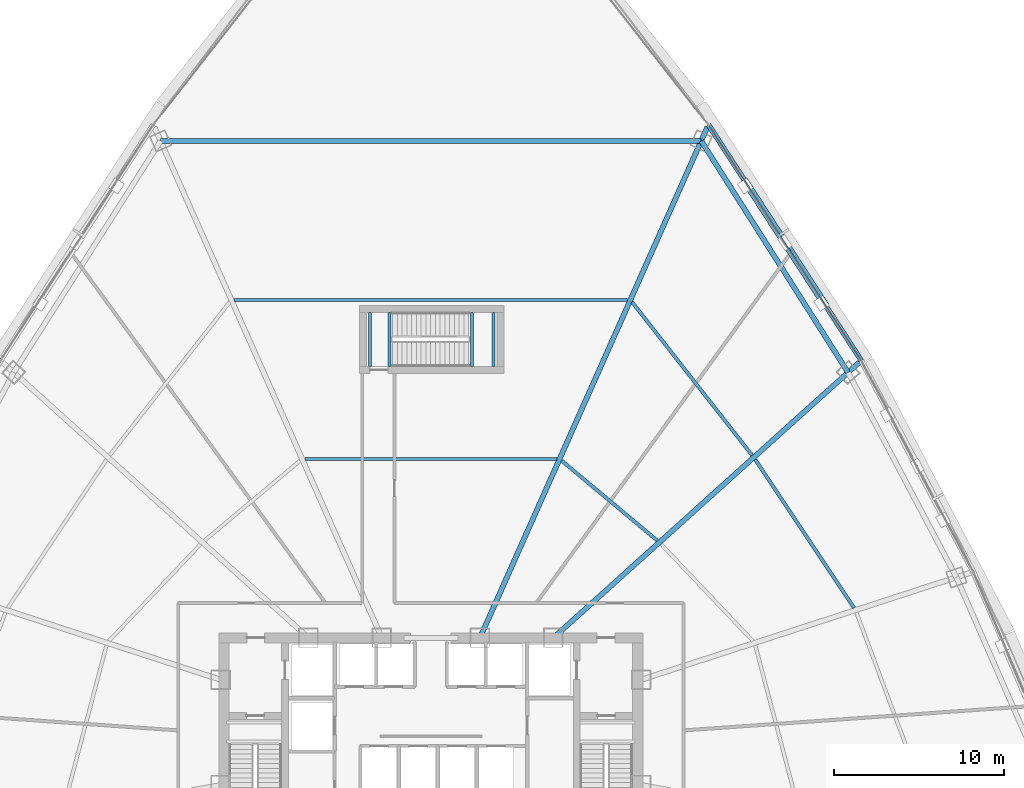
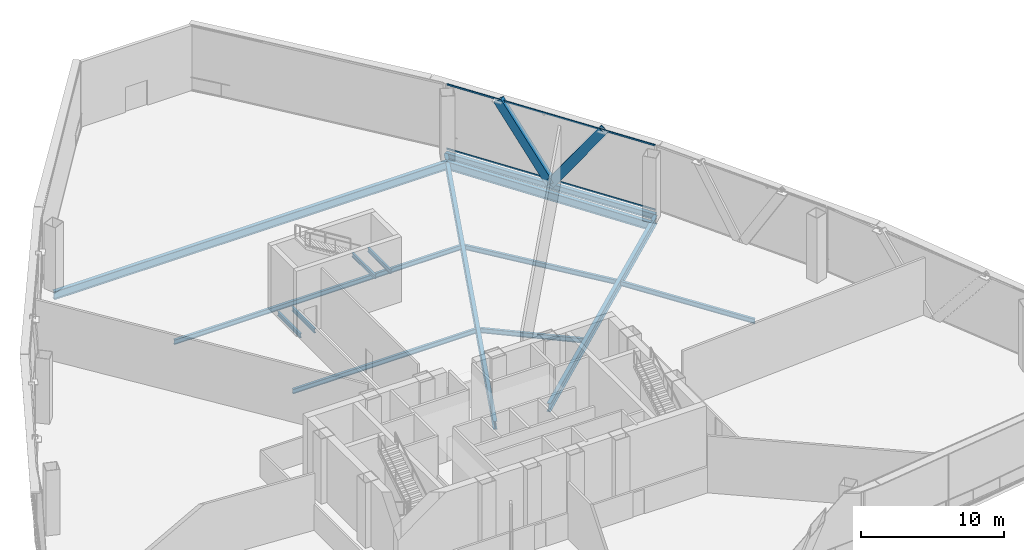
# One storey, part 18 of 36: 14 beams, 4 members, 1 element without a shape of its own.
"""IFC4 building model written with IfcOpenShell, lengths in metres."""

from ifc_helpers import new_model, si_unit, direction, frame, origin, origin_2d, place, context, subcontext, project, spatial, hollow_rectangle, i_section, extrude, source, transform, mapped, material, layer, layer_set, material_profile, profile_set, type_object, element, aggregate, save


model = new_model("IFC4")

# Units and contexts
model_context = context("Model", 3, precision=1e-05, world=origin(), true_north=direction((0.0, 1.0)))
body_context = subcontext(model_context, "Body", "Model", "MODEL_VIEW")
ifc_project = project(units=[si_unit("LENGTHUNIT", "METRE"), si_unit("AREAUNIT", "SQUARE_METRE"), si_unit("VOLUMEUNIT", "CUBIC_METRE"), si_unit("PLANEANGLEUNIT", "RADIAN"), si_unit("MASSUNIT", "GRAM", prefix="KILO"), si_unit("THERMODYNAMICTEMPERATUREUNIT", "KELVIN"), si_unit("POWERUNIT", "WATT")], contexts=[model_context])

# Site, building, storey
site_placement = place(None, origin())
site = spatial("IfcSite", under=ifc_project, at=site_placement, CompositionType="ELEMENT")
building_placement = place(site_placement, origin())
building = spatial("IfcBuilding", under=site, at=building_placement, Name="Yunzhuo Pagoda Commons", CompositionType="ELEMENT")
storey_placement = place(building_placement, frame((0.0, 0.0, 119.179931640625)))
storey = spatial("IfcBuildingStorey", under=building, at=storey_placement, Name="L30", CompositionType="ELEMENT", Elevation=119.179931640625)

# Beams
ifc_material_1 = material(Name="Structural steel Q355B", Category="steel")
ifc_material_profile_1 = material_profile(ifc_material_1, i_section(OverallWidth=0.175048828125, OverallDepth=0.35009765625, WebThickness=0.007080078125, FlangeThickness=0.010986328125, at=origin_2d()), Name="Structural steel Q355B")
ifc_profile_set_1 = profile_set([ifc_material_profile_1], Name="Structural steel Q355B")
beam_type_1 = type_object("IfcBeamType", Name="B-JS2 Joist HN 350x175x7x11", PredefinedType="JOIST", material=ifc_profile_set_1)
shared_shape_1 = source(origin(), body_context, "Body", "SweptSolid", [
    extrude(i_section(OverallWidth=0.175048828125, OverallDepth=0.35009765625, WebThickness=0.007080078125, FlangeThickness=0.010986328125, at=origin_2d()), origin(), (0.0, 0.0, 1.0), 3.199951171875),
])
for number, where, z_axis, x_axis, name in (
    (1, (50.429931640625, 56.199951171875, 2.55029296875), (0.0, 1.0, 0.0), (-1.0, 0.0, 0.0), "L30 ST3 landing support beam 36A"),
    (2, (51.699951171875, 56.199951171875, 2.55029296875), (0.0, 1.0, 0.0), (-1.0, 0.0, 0.0), "L30 ST3 landing support beam 36B"),
    (3, (44.39990234375, 56.199951171875, -0.375), (0.0, 1.0, 0.0), (-1.0, 0.0, 0.0), "L30 ST3 landing support beam 104A"),
    (4, (45.550048828125, 56.199951171875, -0.375), (0.0, 1.0, 0.0), (-1.0, 0.0, 0.0), "L30 ST3 landing support beam 104B"),
):
    element("IfcBeam", number, at=place(storey_placement, frame(where, z_axis=z_axis, x_axis=x_axis)), inside=storey, type_object=beam_type_1, Name=name, PredefinedType="JOIST", context=body_context, shape_type="MappedRepresentation", body=[
        mapped(shared_shape_1, transform((0.0, 0.0, 0.0), scale=1.0)),
    ])
ifc_material_profile_2 = material_profile(ifc_material_1, i_section(OverallWidth=0.300048828125, OverallDepth=0.699951171875, WebThickness=0.012939453125, FlangeThickness=0.02392578125, at=origin_2d()), Name="Structural steel Q355B")
ifc_profile_set_2 = profile_set([ifc_material_profile_2], Name="Structural steel Q355B")
beam_type_2 = type_object("IfcBeamType", Name="B-RG1 Beam HN 700x300x13x24", PredefinedType="BEAM", material=ifc_profile_set_2)
shared_shape_2 = source(origin(), body_context, "Body", "SweptSolid", [
    extrude(i_section(OverallWidth=0.300048828125, OverallDepth=0.699951171875, WebThickness=0.012939453125, FlangeThickness=0.02392578125, at=origin_2d()), origin(), (0.0, 0.0, 1.0), 16.16845703125),
])
beam_1_placement = place(storey_placement, frame((72.602783203125, 55.852294921875, -0.6298828125), z_axis=(-0.535695673154, 0.844411123662, 0.0), x_axis=(-0.844411123662, -0.535695673154, 0.0)))
element("IfcBeam", 5, at=beam_1_placement, inside=storey, type_object=beam_type_2, Name="L30 column-ring beam 7", PredefinedType="BEAM", context=body_context, shape_type="MappedRepresentation", body=[
    mapped(shared_shape_2, transform((0.0, 0.0, 0.0), scale=1.0)),
])
shared_shape_3 = source(origin(), body_context, "Body", "SweptSolid", [
    extrude(i_section(OverallWidth=0.300048828125, OverallDepth=0.699951171875, WebThickness=0.012939453125, FlangeThickness=0.02392578125, at=origin_2d()), origin(), (0.0, 0.0, 1.0), 31.8828125),
])
beam_2_placement = place(storey_placement, frame((63.94140625, 69.505126953125, -0.6298828125), z_axis=(-1.0, 0.0, 0.0), x_axis=(0.0, -1.0, 0.0)))
element("IfcBeam", 6, at=beam_2_placement, inside=storey, type_object=beam_type_2, Name="L30 column-ring beam 8", PredefinedType="BEAM", context=body_context, shape_type="MappedRepresentation", body=[
    mapped(shared_shape_3, transform((0.0, 0.0, 0.0), scale=1.0)),
])
ifc_material_profile_3 = material_profile(ifc_material_1, i_section(OverallWidth=0.199951171875, OverallDepth=0.39990234375, WebThickness=0.008056640625, FlangeThickness=0.012939453125, at=origin_2d()), Name="Structural steel Q355B")
ifc_profile_set_3 = profile_set([ifc_material_profile_3], Name="Structural steel Q355B")
beam_type_3 = type_object("IfcBeamType", Name="B-JS1 Joist HN 400x200x8x13", PredefinedType="JOIST", material=ifc_profile_set_3)
shared_shape_4 = source(origin(), body_context, "Body", "SweptSolid", [
    extrude(i_section(OverallWidth=0.199951171875, OverallDepth=0.39990234375, WebThickness=0.008056640625, FlangeThickness=0.012939453125, at=origin_2d()), origin(), (0.0, 0.0, 1.0), 10.50537109375),
])
beam_3_placement = place(storey_placement, frame((72.95361328125, 41.968994140625, -0.47998046875), z_axis=(-0.554523204193, 0.832168261839, 0.0), x_axis=(-0.832168261839, -0.554523204193, 0.0)))
element("IfcBeam", 7, at=beam_3_placement, inside=storey, type_object=beam_type_3, Name="L30 composite ring joist 2.6", PredefinedType="JOIST", context=body_context, shape_type="MappedRepresentation", body=[
    mapped(shared_shape_4, transform((0.0, 0.0, 0.0), scale=1.0)),
])
shared_shape_5 = source(origin(), body_context, "Body", "SweptSolid", [
    extrude(i_section(OverallWidth=0.199951171875, OverallDepth=0.39990234375, WebThickness=0.008056640625, FlangeThickness=0.012939453125, at=origin_2d()), origin(), (0.0, 0.0, 1.0), 7.350341796875),
])
beam_4_placement = place(storey_placement, frame((61.355224609375, 45.936767578125, -0.47998046875), z_axis=(-0.767589283892, 0.640942034239, 0.0), x_axis=(-0.640942034239, -0.767589283892, 0.0)))
element("IfcBeam", 8, at=beam_4_placement, inside=storey, type_object=beam_type_3, Name="L30 composite ring joist 1.7", PredefinedType="JOIST", context=body_context, shape_type="MappedRepresentation", body=[
    mapped(shared_shape_5, transform((0.0, 0.0, 0.0), scale=1.0)),
])
shared_shape_6 = source(origin(), body_context, "Body", "SweptSolid", [
    extrude(i_section(OverallWidth=0.199951171875, OverallDepth=0.39990234375, WebThickness=0.008056640625, FlangeThickness=0.012939453125, at=origin_2d()), origin(), (0.0, 0.0, 1.0), 11.475830078125),
])
beam_5_placement = place(storey_placement, frame((66.942138671875, 50.96875, -0.47998046875), z_axis=(-0.616739539478, 0.787167288728, 0.0), x_axis=(-0.787167288728, -0.616739539478, 0.0)))
element("IfcBeam", 9, at=beam_5_placement, inside=storey, type_object=beam_type_3, Name="L30 composite ring joist 2.7", PredefinedType="JOIST", context=body_context, shape_type="MappedRepresentation", body=[
    mapped(shared_shape_6, transform((0.0, 0.0, 0.0), scale=1.0)),
])
shared_shape_7 = source(origin(), body_context, "Body", "SweptSolid", [
    extrude(i_section(OverallWidth=0.199951171875, OverallDepth=0.39990234375, WebThickness=0.008056640625, FlangeThickness=0.012939453125, at=origin_2d()), origin(), (0.0, 0.0, 1.0), 14.8642578125),
])
beam_6_placement = place(storey_placement, frame((55.43212890625, 50.749755859375, -0.47998046875), z_axis=(-1.0, 0.0, 0.0), x_axis=(0.0, -1.0, 0.0)))
element("IfcBeam", 10, at=beam_6_placement, inside=storey, type_object=beam_type_3, Name="L30 composite ring joist 1.8", PredefinedType="JOIST", context=body_context, shape_type="MappedRepresentation", body=[
    mapped(shared_shape_7, transform((0.0, 0.0, 0.0), scale=1.0)),
])
shared_shape_8 = source(origin(), body_context, "Body", "SweptSolid", [
    extrude(i_section(OverallWidth=0.199951171875, OverallDepth=0.39990234375, WebThickness=0.008056640625, FlangeThickness=0.012939453125, at=origin_2d()), origin(), (0.0, 0.0, 1.0), 23.21484375),
])
beam_7_placement = place(storey_placement, frame((59.607421875, 60.12744140625, -0.47998046875), z_axis=(-1.0, 0.0, 0.0), x_axis=(0.0, -1.0, 0.0)))
element("IfcBeam", 11, at=beam_7_placement, inside=storey, type_object=beam_type_3, Name="L30 composite ring joist 2.8", PredefinedType="JOIST", context=body_context, shape_type="MappedRepresentation", body=[
    mapped(shared_shape_8, transform((0.0, 0.0, 0.0), scale=1.0)),
])
shared_shape_9 = source(origin(), body_context, "Body", "SweptSolid", [
    extrude(i_section(OverallWidth=0.300048828125, OverallDepth=0.699951171875, WebThickness=0.012939453125, FlangeThickness=0.02392578125, at=origin_2d()), origin(), (0.0, 0.0, 1.0), 24.287353515625),
])
beam_8_placement = place(storey_placement, frame((73.267822265625, 56.451416015625, -0.6298828125), z_axis=(-0.74314017772, -0.669135768181, 0.0), x_axis=(0.669135768181, -0.74314017772, 0.0)))
element("IfcBeam", 12, at=beam_8_placement, inside=storey, type_object=beam_type_2, Name="L30 radial floor girder F2C3", PredefinedType="BEAM", context=body_context, shape_type="MappedRepresentation", body=[
    mapped(shared_shape_9, transform((0.0, 0.0, 0.0), scale=1.0)),
])
shared_shape_10 = source(origin(), body_context, "Body", "SweptSolid", [
    extrude(i_section(OverallWidth=0.300048828125, OverallDepth=0.699951171875, WebThickness=0.012939453125, FlangeThickness=0.02392578125, at=origin_2d()), origin(), (0.0, 0.0, 1.0), 32.973388671875),
])
beam_9_placement = place(storey_placement, frame((64.305419921875, 70.32275390625, -0.6298828125), z_axis=(-0.406732621123, -0.913547248321, 0.0), x_axis=(0.913547248321, -0.406732621123, 0.0)))
element("IfcBeam", 13, at=beam_9_placement, inside=storey, type_object=beam_type_2, Name="L30 radial floor girder F2C4", PredefinedType="BEAM", context=body_context, shape_type="MappedRepresentation", body=[
    mapped(shared_shape_10, transform((0.0, 0.0, 0.0), scale=1.0)),
])
ifc_material_profile_4 = material_profile(ifc_material_1, i_section(OverallWidth=0.300048828125, OverallDepth=0.488037109375, WebThickness=0.010986328125, FlangeThickness=0.01806640625, at=origin_2d()), Name="Structural steel Q355B")
ifc_profile_set_4 = profile_set([ifc_material_profile_4], Name="Structural steel Q355B")
beam_type_4 = type_object("IfcBeamType", Name="B-SP1 Beam HM 488x300x11x18", PredefinedType="BEAM", material=ifc_profile_set_4)
shared_shape_11 = source(origin(), body_context, "Body", "SweptSolid", [
    extrude(i_section(OverallWidth=0.300048828125, OverallDepth=0.488037109375, WebThickness=0.010986328125, FlangeThickness=0.01806640625, at=origin_2d()), origin(), (0.0, 0.0, 1.0), 16.575439453125),
])
beam_10_placement = place(storey_placement, frame((73.383056640625, 56.554931640625, -0.52392578125), z_axis=(-0.543858191625, 0.839177137083, 0.0), x_axis=(-0.839177137083, -0.543858191625, 0.0)))
element("IfcBeam", 14, at=beam_10_placement, inside=storey, type_object=beam_type_4, Name="L30 facade edge spandrel beam F2.3", PredefinedType="BEAM", context=body_context, shape_type="MappedRepresentation", body=[
    mapped(shared_shape_11, transform((0.0, 0.0, 0.0), scale=1.0)),
])

# Members
ifc_material_2 = material(Name="Structural steel Q420B", Category="steel")
ifc_material_profile_5 = material_profile(ifc_material_2, hollow_rectangle(XDim=0.419921875, YDim=0.719970703125, WallThickness=0.028076171875, at=origin_2d()), Name="Structural steel Q420B")
ifc_profile_set_5 = profile_set([ifc_material_profile_5], Name="Structural steel Q420B")
member_type_1 = type_object("IfcMemberType", Name="M-DL1 Brace BOX 720x420x28", PredefinedType="BRACE", material=ifc_profile_set_5)
shared_shape_12 = source(origin(), body_context, "Body", "SweptSolid", [
    extrude(hollow_rectangle(XDim=0.419921875, YDim=0.719970703125, WallThickness=0.028076171875, at=origin_2d()), origin(), (0.0, 0.0, 1.0), 7.169189453125),
])
for number, where, z_axis, x_axis, name in (
    (15, (68.875732421875, 63.509765625, -0.280029296875), (0.314388682655, -0.485068500405, 0.816007540488), (0.839158961759, 0.543886235254, 0.0), "L30 facade diamond brace F2.3L"),
    (16, (68.875732421875, 63.509765625, -0.280029296875), (-0.314357993858, 0.485073693479, 0.816016276548), (-0.839185849972, -0.543844747338, 0.0), "L30 facade diamond brace F2.3R"),
):
    element("IfcMember", number, at=place(storey_placement, frame(where, z_axis=z_axis, x_axis=x_axis)), inside=storey, type_object=member_type_1, Name=name, PredefinedType="BRACE", context=body_context, shape_type="MappedRepresentation", body=[
        mapped(shared_shape_12, transform((0.0, 0.0, 0.0), scale=1.0)),
    ])

# Curtain wall, members
ifc_material_3 = material(Name="Anodized aluminium 6063-T6", Category="aluminium")
ifc_layer = layer(ifc_material_3, 0.1650390625)
ifc_layer_set = layer_set([ifc_layer], Name="Anodized aluminium 6063-T6")
curtain_wall_type = type_object("IfcCurtainWallType", Name="CW-LOW Low-Zone Ribbon Curtain Wall", PredefinedType="NOTDEFINED", material=ifc_layer_set)
curtain_wall_placement = place(storey_placement, origin())
curtain_wall = element("IfcCurtainWall", 17, at=curtain_wall_placement, inside=storey, type_object=curtain_wall_type, Name="L30 curtain wall CW-L30-F2B4", PredefinedType="NOTDEFINED")
ifc_material_profile_6 = material_profile(ifc_material_3, hollow_rectangle(XDim=0.06005859375, YDim=0.139892578125, WallThickness=0.00341796875, at=origin_2d()), Name="Anodized aluminium 6063-T6")
ifc_profile_set_6 = profile_set([ifc_material_profile_6], Name="Anodized aluminium 6063-T6")
member_type_2 = type_object("IfcMemberType", Name="CW-LOW-T Transom RHS 140x60x3.5", PredefinedType="USERDEFINED", material=ifc_profile_set_6)
shared_shape_13 = source(origin(), body_context, "Body", "SweptSolid", [
    extrude(hollow_rectangle(XDim=0.06005859375, YDim=0.139892578125, WallThickness=0.00341796875, at=origin_2d()), origin(), (0.0, 0.0, 1.0), 16.44482421875),
])
member_1_placement = place(storey_placement, frame((73.34765625, 56.609619140625, 0.030029296875), z_axis=(-0.543868544018, 0.839170427761, 0.0), x_axis=(-0.839170427761, -0.543868544018, 0.0)))
member_1 = element("IfcMember", 18, at=member_1_placement, type_object=member_type_2, Name="CW transom 1.1", ObjectType="TRANSOM", PredefinedType="USERDEFINED", context=body_context, shape_type="MappedRepresentation", body=[
    mapped(shared_shape_13, transform((0.0, 0.0, 0.0), scale=1.0)),
])
member_2_placement = place(storey_placement, frame((73.34765625, 56.609619140625, 5.5400390625), z_axis=(-0.543868544018, 0.839170427761, 0.0), x_axis=(-0.839170427761, -0.543868544018, 0.0)))
member_2 = element("IfcMember", 19, at=member_2_placement, type_object=member_type_2, Name="CW transom 1.2", ObjectType="TRANSOM", PredefinedType="USERDEFINED", context=body_context, shape_type="MappedRepresentation", body=[
    mapped(shared_shape_13, transform((0.0, 0.0, 0.0), scale=1.0)),
])
aggregate(curtain_wall, [member_1, member_2])

save(model, "model.ifc")
